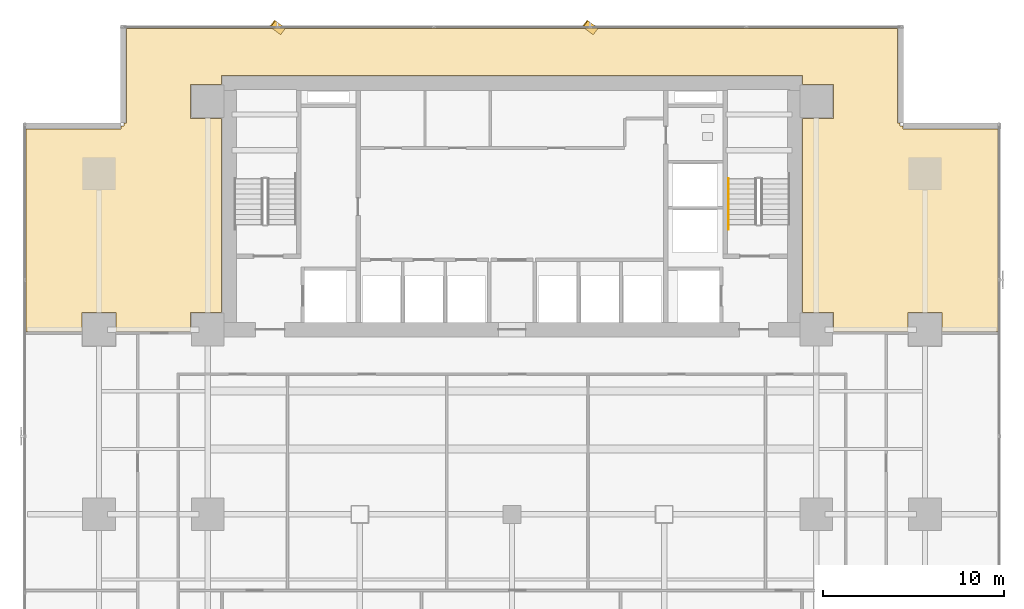
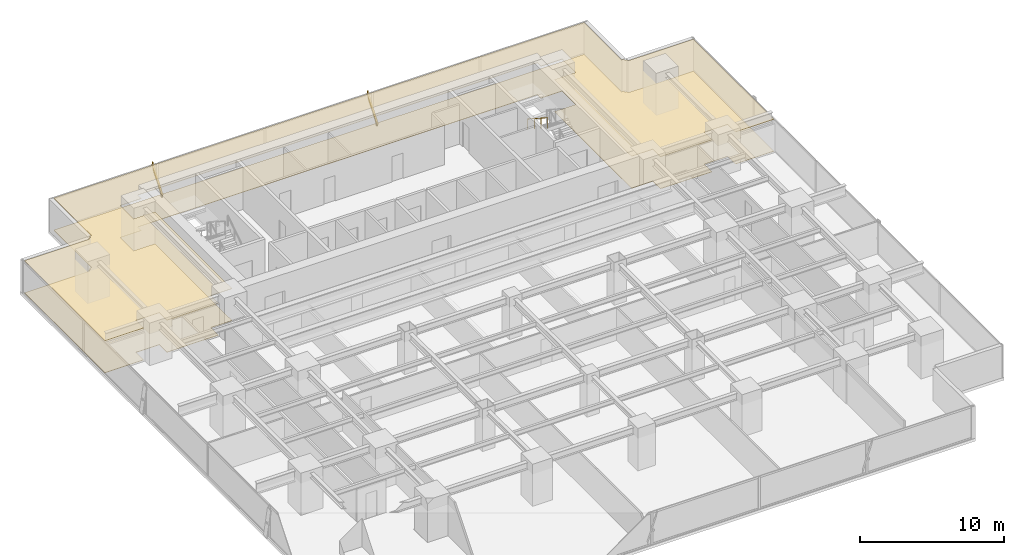
# One storey, part 31 of 33: 2 coverings, 2 shading devices, 1 railing.
"""IFC4 building model written with IfcOpenShell, lengths in metres."""

from ifc_helpers import new_model, si_unit, direction, frame, origin, origin_2d, place, context, subcontext, project, spatial, polyline, rectangle, outline, extrude, source, transform, mapped, material, layer, layer_set, material_profile, profile_set, type_object, element, save


model = new_model("IFC4")

# Units and contexts
model_context = context("Model", 3, precision=1e-05, world=origin(), true_north=direction((0.0, 1.0)))
body_context = subcontext(model_context, "Body", "Model", "MODEL_VIEW")
ifc_project = project(units=[si_unit("LENGTHUNIT", "METRE"), si_unit("AREAUNIT", "SQUARE_METRE"), si_unit("VOLUMEUNIT", "CUBIC_METRE"), si_unit("PLANEANGLEUNIT", "RADIAN"), si_unit("MASSUNIT", "GRAM", prefix="KILO")], contexts=[model_context])

# Site, building, storey
site_placement = place(None, origin())
site = spatial("IfcSite", under=ifc_project, at=site_placement, CompositionType="ELEMENT")
building_placement = place(site_placement, origin())
building = spatial("IfcBuilding", under=site, at=building_placement, Name="Sumidabori Civic Tower", CompositionType="ELEMENT")
storey_placement = place(building_placement, frame((0.0, 0.0, 27.199951171875)))
storey = spatial("IfcBuildingStorey", under=building, at=storey_placement, Name="L06", CompositionType="ELEMENT", Elevation=27.199951171875)

# Coverings
ifc_material_1 = material(Name="Acoustic Mineral Gypsum Ceiling Tile")
ifc_layer_1 = layer(ifc_material_1, 0.034912109375, Name="Acoustic Mineral Gypsum Ceiling Tile")
ifc_layer_set_1 = layer_set([ifc_layer_1], Name="Acoustic Mineral Gypsum Ceiling Tile")
covering_type_1 = type_object("IfcCoveringType", Name="CV-CEIL-AC1", PredefinedType="CEILING", material=ifc_layer_set_1)
covering_1_placement = place(storey_placement, frame((0.0, 0.0, 2.7099609375)))
element("IfcCovering", 1, at=covering_1_placement, inside=storey, type_object=covering_type_1, Name="Room Acoustic Ceiling L06-01", PredefinedType="CEILING", context=body_context, shape_type="SweptSolid", body=[
    extrude(outline(polyline([(-21.860107421875, 11.139892578125), (-23.739990234375, 11.139892578125), (-23.739990234375, 10.080078125), (-26.830078125, 10.080078125), (-26.830078125, 21.27197265625), (-21.592041015625, 21.27197265625), (-21.592041015625, 21.429931640625), (-21.429931640625, 21.429931640625), (-21.429931640625, 21.592041015625), (-21.27197265625, 21.592041015625), (-21.27197265625, 26.830078125), (21.27197265625, 26.830078125), (21.27197265625, 21.592041015625), (21.429931640625, 21.592041015625), (21.429931640625, 21.429931640625), (21.592041015625, 21.429931640625), (21.592041015625, 21.27197265625), (26.830078125, 21.27197265625), (26.830078125, 10.080078125), (23.739990234375, 10.080078125), (23.739990234375, 11.139892578125), (21.860107421875, 11.139892578125), (21.860107421875, 10.080078125), (20.739990234375, 10.080078125), (20.739990234375, 10.090087890625), (17.739990234375, 10.090087890625), (17.739990234375, 11.139892578125), (16.028076171875, 11.139892578125), (16.028076171875, 21.860107421875), (17.739990234375, 21.860107421875), (17.739990234375, 23.739990234375), (16.028076171875, 23.739990234375), (16.028076171875, 24.22802734375), (-16.028076171875, 24.22802734375), (-16.028076171875, 23.739990234375), (-17.739990234375, 23.739990234375), (-17.739990234375, 21.860107421875), (-16.028076171875, 21.860107421875), (-16.028076171875, 11.139892578125), (-17.739990234375, 11.139892578125), (-17.739990234375, 10.090087890625), (-20.739990234375, 10.090087890625), (-20.739990234375, 10.080078125), (-21.860107421875, 10.080078125), (-21.860107421875, 11.139892578125)])), origin(), (0.0, 0.0, 1.0), 0.03515625),
])
ifc_material_2 = material(Name="Honed Terrazzo Tile Flooring")
ifc_layer_2 = layer(ifc_material_2, 0.030029296875, Name="Honed Terrazzo Tile Flooring")
ifc_layer_set_2 = layer_set([ifc_layer_2], Name="Honed Terrazzo Tile Flooring")
covering_type_2 = type_object("IfcCoveringType", Name="CV-FLR-TER", PredefinedType="FLOORING", material=ifc_layer_set_2)
covering_2_placement = place(storey_placement, origin())
element("IfcCovering", 2, at=covering_2_placement, inside=storey, type_object=covering_type_2, Name="Room Terrazzo Floor L06-01", PredefinedType="FLOORING", context=body_context, shape_type="SweptSolid", body=[
    extrude(outline(polyline([(-21.860107421875, 11.139892578125), (-23.739990234375, 11.139892578125), (-23.739990234375, 10.080078125), (-26.830078125, 10.080078125), (-26.830078125, 21.27197265625), (-21.592041015625, 21.27197265625), (-21.592041015625, 21.429931640625), (-21.429931640625, 21.429931640625), (-21.429931640625, 21.592041015625), (-21.27197265625, 21.592041015625), (-21.27197265625, 26.830078125), (21.27197265625, 26.830078125), (21.27197265625, 21.592041015625), (21.429931640625, 21.592041015625), (21.429931640625, 21.429931640625), (21.592041015625, 21.429931640625), (21.592041015625, 21.27197265625), (26.830078125, 21.27197265625), (26.830078125, 10.080078125), (23.739990234375, 10.080078125), (23.739990234375, 11.139892578125), (21.860107421875, 11.139892578125), (21.860107421875, 10.080078125), (20.739990234375, 10.080078125), (20.739990234375, 10.090087890625), (17.739990234375, 10.090087890625), (17.739990234375, 11.139892578125), (16.028076171875, 11.139892578125), (16.028076171875, 21.860107421875), (17.739990234375, 21.860107421875), (17.739990234375, 23.739990234375), (16.028076171875, 23.739990234375), (16.028076171875, 24.22802734375), (-16.028076171875, 24.22802734375), (-16.028076171875, 23.739990234375), (-17.739990234375, 23.739990234375), (-17.739990234375, 21.860107421875), (-16.028076171875, 21.860107421875), (-16.028076171875, 11.139892578125), (-17.739990234375, 11.139892578125), (-17.739990234375, 10.090087890625), (-20.739990234375, 10.090087890625), (-20.739990234375, 10.080078125), (-21.860107421875, 10.080078125), (-21.860107421875, 11.139892578125)])), origin(), (0.0, 0.0, 1.0), 0.030029296875),
])

# Railing
ifc_material_3 = material(Name="Stainless Steel Hairline Finish", Category="steel")
railing_type = type_object("IfcRailingType", Name="RL-HANDRAIL", PredefinedType="HANDRAIL", material=ifc_material_3)
railing_placement = place(storey_placement, frame((11.949951171875, 18.52001953125, 1.97998046875)))
element("IfcRailing", 3, at=railing_placement, inside=storey, type_object=railing_type, Name="L06 ST-2 stair handrail 2", PredefinedType="HANDRAIL", context=body_context, shape_type="SweptSolid", body=[
    extrude(rectangle(XDim=0.048095703125, YDim=0.048095703125, at=origin_2d()), frame((0.0, 0.0, 0.8759765625), z_axis=(0.0, -0.84064222762, 0.54159084662), x_axis=(1.0, 0.0, 0.0)), (0.0, 0.0, 1.0), 3.330810546875),
    extrude(rectangle(XDim=0.0419921875, YDim=0.0419921875, at=origin_2d()), origin(), (0.0, 0.0, 1.0), 0.851806640625),
    extrude(rectangle(XDim=0.0419921875, YDim=0.0419921875, at=origin_2d()), frame((0.0, -0.933349609375, 0.601318359375)), (0.0, 0.0, 1.0), 0.851806640625),
    extrude(rectangle(XDim=0.0419921875, YDim=0.0419921875, at=origin_2d()), frame((0.0, -1.86669921875, 1.20263671875)), (0.0, 0.0, 1.0), 0.851806640625),
    extrude(rectangle(XDim=0.0419921875, YDim=0.0419921875, at=origin_2d()), frame((0.0, -2.800048828125, 1.803955078125)), (0.0, 0.0, 1.0), 0.851806640625),
])

# Shading devices
ifc_material_4 = material(Name="Anodised Bronze Aluminium AW-6063-T6", Category="aluminium")
ifc_material_profile = material_profile(ifc_material_4, rectangle(XDim=0.06005859375, YDim=0.449951171875, at=origin_2d()), Name="BRONZE FIN 450x60")
ifc_profile_set = profile_set([ifc_material_profile], Name="Anodised Bronze Aluminium AW-6063-T6")
shading_device_type = type_object("IfcShadingDeviceType", Name="SH-FIN-450", PredefinedType="USERDEFINED", material=ifc_profile_set)
shared_shape = source(origin(), body_context, "Body", "SweptSolid", [
    extrude(rectangle(XDim=0.06005859375, YDim=0.449951171875, at=origin_2d()), origin(), (0.0, 0.0, 1.0), 2.769775390625),
])
for number, where, z_axis, x_axis, name in (
    (4, (4.593994140625, 26.669921875, 0.02001953125), (-0.202195931323, 0.151691019096, 0.967526041035), (0.773939855131, -0.580623579198, 0.252771358975), "Bronze Anodised Diagonal Fin L06-02"),
    (5, (-12.662109375, 26.669921875, 0.02001953125), (-0.20211139135, 0.151693721986, 0.967543280787), (0.773832092044, -0.580795913828, 0.252705361643), "Bronze Anodised Diagonal Fin L06-04"),
):
    element("IfcShadingDevice", number, at=place(storey_placement, frame(where, z_axis=z_axis, x_axis=x_axis)), inside=storey, type_object=shading_device_type, Name=name, ObjectType="FIN", PredefinedType="USERDEFINED", context=body_context, shape_type="MappedRepresentation", body=[
        mapped(shared_shape, transform((0.0, 0.0, 0.0), x_axis=(1.0, 0.0, 0.0), y_axis=(0.0, 1.0, 0.0), z_axis=(0.0, 0.0, 1.0), scale=1.0)),
    ])

save(model, "model.ifc")
